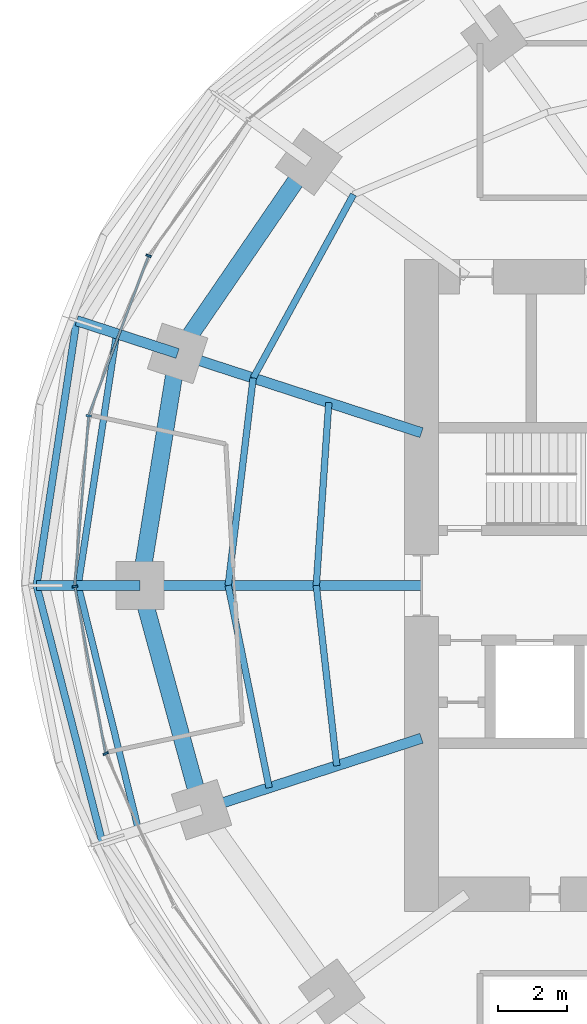
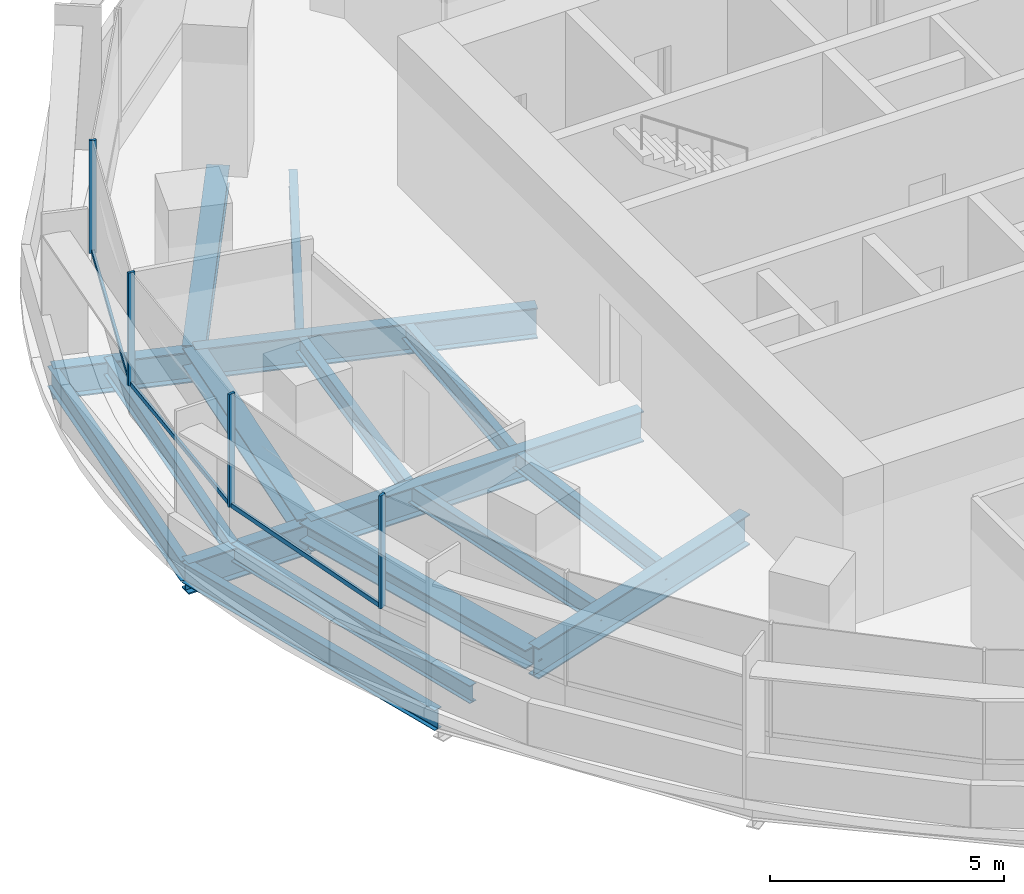
# One storey, part 4 of 17: 14 beams, 10 members, 2 elements without a shape of their own.
"""IFC4 building model written with IfcOpenShell, lengths in metres."""

from ifc_helpers import new_model, si_unit, direction, frame, origin, origin_2d, place, context, subcontext, project, spatial, rectangle, i_section, extrude, material, material_profile, profile_set, type_object, element, aggregate, save


model = new_model("IFC4")

# Units and contexts
model_context = context("Model", 3, precision=1e-05, world=origin(), true_north=direction((0.0, 1.0)))
body_context = subcontext(model_context, "Body", "Model", "MODEL_VIEW")
ifc_project = project(units=[si_unit("LENGTHUNIT", "METRE"), si_unit("AREAUNIT", "SQUARE_METRE"), si_unit("VOLUMEUNIT", "CUBIC_METRE"), si_unit("PLANEANGLEUNIT", "RADIAN"), si_unit("MASSUNIT", "GRAM", prefix="KILO")], contexts=[model_context])

# Site, building, storey
site_placement = place(None, origin())
site = spatial("IfcSite", under=ifc_project, at=site_placement, CompositionType="ELEMENT")
building_placement = place(site_placement, origin())
building = spatial("IfcBuilding", under=site, at=building_placement, Name="Marramba Exchange Tower", CompositionType="ELEMENT")
storey_placement = place(building_placement, frame((0.0, 0.0, 172.10009765625)))
storey = spatial("IfcBuildingStorey", under=building, at=storey_placement, Name="L41", CompositionType="ELEMENT", Elevation=172.10009765625)

# Members
ifc_material_1 = material(Name="Steel AS/NZS 3679.2 grade 300", Category="steel")
ifc_material_profile_1 = material_profile(ifc_material_1, i_section(OverallWidth=0.5, OverallDepth=0.48388671875, WebThickness=0.02490234375, FlangeThickness=0.031982421875, at=origin_2d()), Name="500WC340")
ifc_profile_set_1 = profile_set([ifc_material_profile_1], Name="Steel AS/NZS 3679.2 grade 300")
member_type_1 = type_object("IfcMemberType", Name="Belt truss chord 500WC340", PredefinedType="CHORD", material=ifc_profile_set_1)
member_1_placement = place(storey_placement, frame((-16.98583984375, 12.3408203125, -0.442138671875), z_axis=(-0.56516002054, -0.824981303535, 0.0), x_axis=(0.824981303535, -0.56516002054, 0.0)))
element("IfcMember", 1, at=member_1_placement, inside=storey, type_object=member_type_1, Name="Belt chord L41 TC09-TC10", PredefinedType="CHORD", context=body_context, shape_type="SweptSolid", body=[
    extrude(i_section(OverallWidth=0.5, OverallDepth=0.48388671875, WebThickness=0.02490234375, FlangeThickness=0.031982421875, at=origin_2d()), origin(), (0.0, 0.0, 1.0), 6.763671875),
])
member_2_placement = place(storey_placement, frame((-20.808349609375, 6.760986328125, -0.442138671875), z_axis=(-0.159384865399, -0.987216523708, 0.0), x_axis=(0.987216523708, -0.159384865399, 0.0)))
element("IfcMember", 2, at=member_2_placement, inside=storey, type_object=member_type_1, Name="Belt chord L41 TC10-TC11", PredefinedType="CHORD", context=body_context, shape_type="SweptSolid", body=[
    extrude(i_section(OverallWidth=0.5, OverallDepth=0.48388671875, WebThickness=0.02490234375, FlangeThickness=0.031982421875, at=origin_2d()), origin(), (0.0, 0.0, 1.0), 6.8486328125),
])
member_3_placement = place(storey_placement, frame((-21.89990234375, 0.0, -0.442138671875), z_axis=(0.264291166956, -0.964442937176, 0.0), x_axis=(0.964442937176, 0.264291166956, 0.0)))
element("IfcMember", 3, at=member_3_placement, inside=storey, type_object=member_type_1, Name="Belt chord L41 TC11-TC12", PredefinedType="CHORD", context=body_context, shape_type="SweptSolid", body=[
    extrude(i_section(OverallWidth=0.5, OverallDepth=0.48388671875, WebThickness=0.02490234375, FlangeThickness=0.031982421875, at=origin_2d()), origin(), (0.0, 0.0, 1.0), 6.77490234375),
])

# Beams
ifc_material_profile_2 = material_profile(ifc_material_1, i_section(OverallWidth=0.300048828125, OverallDepth=0.800048828125, WebThickness=0.013916015625, FlangeThickness=0.031982421875, at=origin_2d()), Name="800WB192")
ifc_profile_set_2 = profile_set([ifc_material_profile_2], Name="Steel AS/NZS 3679.2 grade 300")
beam_type_1 = type_object("IfcBeamType", Name="Cantilever girder 800WB192", PredefinedType="BEAM", material=ifc_profile_set_2)
beam_1_placement = place(storey_placement, frame((-20.808349609375, 6.760986328125, -0.650146484375), z_axis=(-0.95104799017, 0.309043233858, 0.0), x_axis=(-0.309043233858, -0.95104799017, 0.0)))
element("IfcBeam", 4, at=beam_1_placement, inside=storey, type_object=beam_type_1, Name="Cantilever girder L41 TC10", PredefinedType="BEAM", context=body_context, shape_type="SweptSolid", body=[
    extrude(i_section(OverallWidth=0.300048828125, OverallDepth=0.800048828125, WebThickness=0.013916015625, FlangeThickness=0.031982421875, at=origin_2d()), origin(), (0.0, 0.0, 1.0), 3.0927734375),
])
beam_2_placement = place(storey_placement, frame((-21.89990234375, 0.0, -0.650146484375), z_axis=(-1.0, 0.0, 0.0), x_axis=(0.0, -1.0, 0.0)))
element("IfcBeam", 5, at=beam_2_placement, inside=storey, type_object=beam_type_1, Name="Cantilever girder L41 TC11", PredefinedType="BEAM", context=body_context, shape_type="SweptSolid", body=[
    extrude(i_section(OverallWidth=0.300048828125, OverallDepth=0.800048828125, WebThickness=0.013916015625, FlangeThickness=0.031982421875, at=origin_2d()), origin(), (0.0, 0.0, 1.0), 3.01806640625),
])
ifc_material_2 = material(Name="Steel AS/NZS 3679.1 grade 300", Category="steel")
ifc_material_profile_3 = material_profile(ifc_material_2, i_section(OverallWidth=0.19091796875, OverallDepth=0.4599609375, WebThickness=0.010009765625, FlangeThickness=0.01611328125, FilletRadius=0.011474609375, at=origin_2d()), Name="460UB82.1")
ifc_profile_set_3 = profile_set([ifc_material_profile_3], Name="Steel AS/NZS 3679.1 grade 300")
beam_type_2 = type_object("IfcBeamType", Name="Floor joist 460UB82.1", PredefinedType="JOIST", material=ifc_profile_set_3)
beam_3_placement = place(storey_placement, frame((-15.682373046875, 11.393798828125, -0.43017578125), z_axis=(-0.479584443791, -0.877495732909, 0.0), x_axis=(0.877495732909, -0.479584443791, 0.0)))
element("IfcBeam", 6, at=beam_3_placement, inside=storey, type_object=beam_type_2, Name="Joist L41 bay 09 row 2", PredefinedType="JOIST", context=body_context, shape_type="SweptSolid", body=[
    extrude(i_section(OverallWidth=0.19091796875, OverallDepth=0.4599609375, WebThickness=0.010009765625, FlangeThickness=0.01611328125, FilletRadius=0.011474609375, at=origin_2d()), origin(), (0.0, 0.0, 1.0), 6.094970703125),
])
beam_4_placement = place(storey_placement, frame((-16.40283203125, 5.32958984375, -0.43017578125), z_axis=(-0.068096259546, -0.99767875563, 0.0), x_axis=(0.99767875563, -0.068096259546, 0.0)))
element("IfcBeam", 7, at=beam_4_placement, inside=storey, type_object=beam_type_2, Name="Joist L41 bay 10 row 1", PredefinedType="JOIST", context=body_context, shape_type="SweptSolid", body=[
    extrude(i_section(OverallWidth=0.19091796875, OverallDepth=0.4599609375, WebThickness=0.010009765625, FlangeThickness=0.01611328125, FilletRadius=0.011474609375, at=origin_2d()), origin(), (0.0, 0.0, 1.0), 5.342041015625),
])
beam_5_placement = place(storey_placement, frame((-18.60546875, 6.04541015625, -0.43017578125), z_axis=(-0.119523078538, -0.992831422597, 0.0), x_axis=(0.992831422597, -0.119523078538, 0.0)))
element("IfcBeam", 8, at=beam_5_placement, inside=storey, type_object=beam_type_2, Name="Joist L41 bay 10 row 2", PredefinedType="JOIST", context=body_context, shape_type="SweptSolid", body=[
    extrude(i_section(OverallWidth=0.19091796875, OverallDepth=0.4599609375, WebThickness=0.010009765625, FlangeThickness=0.01611328125, FilletRadius=0.011474609375, at=origin_2d()), origin(), (0.0, 0.0, 1.0), 6.089111328125),
])
beam_6_placement = place(storey_placement, frame((-16.7666015625, 0.0, -0.43017578125), z_axis=(0.112888968594, -0.993607609054, 0.0), x_axis=(0.993607609054, 0.112888968594, 0.0)))
element("IfcBeam", 9, at=beam_6_placement, inside=storey, type_object=beam_type_2, Name="Joist L41 bay 11 row 1", PredefinedType="JOIST", context=body_context, shape_type="SweptSolid", body=[
    extrude(i_section(OverallWidth=0.19091796875, OverallDepth=0.4599609375, WebThickness=0.010009765625, FlangeThickness=0.01611328125, FilletRadius=0.011474609375, at=origin_2d()), origin(), (0.0, 0.0, 1.0), 5.28759765625),
])
beam_7_placement = place(storey_placement, frame((-19.333251953125, 0.0, -0.43017578125), z_axis=(0.198489047047, -0.980103105904, 0.0), x_axis=(0.980103105904, 0.198489047047, 0.0)))
element("IfcBeam", 10, at=beam_7_placement, inside=storey, type_object=beam_type_2, Name="Joist L41 bay 11 row 2", PredefinedType="JOIST", context=body_context, shape_type="SweptSolid", body=[
    extrude(i_section(OverallWidth=0.19091796875, OverallDepth=0.4599609375, WebThickness=0.010009765625, FlangeThickness=0.01611328125, FilletRadius=0.011474609375, at=origin_2d()), origin(), (0.0, 0.0, 1.0), 6.013427734375),
])

# Curtain wall, members
ifc_material_3 = material(Name="Aluminium framing, bronze anodised", Category="aluminium")
curtain_wall_type = type_object("IfcCurtainWallType", Name="Office ribbon curtain wall", PredefinedType="USERDEFINED", material=ifc_material_3)
curtain_wall_1_placement = place(storey_placement, origin())
curtain_wall_1 = element("IfcCurtainWall", 11, at=curtain_wall_1_placement, inside=storey, type_object=curtain_wall_type, Name="Curtain wall CW4 L41 F11-F15", ObjectType="RIBBON CURTAIN WALL", PredefinedType="USERDEFINED")
ifc_material_4 = material(Name="Aluminium mullion, bronze anodised", Category="aluminium")
ifc_material_profile_4 = material_profile(ifc_material_4, rectangle(XDim=0.159912109375, YDim=0.06005859375, at=origin_2d()), Name="CW4 mullion 60x160")
ifc_profile_set_4 = profile_set([ifc_material_profile_4], Name="Aluminium mullion, bronze anodised")
member_type_2 = type_object("IfcMemberType", Name="Office ribbon curtain wall mullion", PredefinedType="MULLION", material=ifc_profile_set_4)
member_4_placement = place(storey_placement, frame((-21.65283203125, 9.607666015625, 0.7998046875), z_axis=(0.0, 0.0, 1.0), x_axis=(0.936018231909, -0.351951515885, 0.0)))
member_4 = element("IfcMember", 12, at=member_4_placement, type_object=member_type_2, Name="CW4 mullion 1", PredefinedType="MULLION", context=body_context, shape_type="SweptSolid", body=[
    extrude(rectangle(XDim=0.159912109375, YDim=0.06005859375, at=origin_2d()), origin(), (0.0, 0.0, 1.0), 2.940185546875),
])
member_5_placement = place(storey_placement, frame((-23.39794921875, 4.94287109375, 0.7998046875), z_axis=(0.0, 0.0, 1.0), x_axis=(0.996609178714, -0.082280890264, 0.0)))
member_5 = element("IfcMember", 13, at=member_5_placement, type_object=member_type_2, Name="CW4 mullion 1", PredefinedType="MULLION", context=body_context, shape_type="SweptSolid", body=[
    extrude(rectangle(XDim=0.159912109375, YDim=0.06005859375, at=origin_2d()), origin(), (0.0, 0.0, 1.0), 2.940185546875),
])

curtain_wall_2_placement = place(storey_placement, origin())
curtain_wall_2 = element("IfcCurtainWall", 14, at=curtain_wall_2_placement, inside=storey, type_object=curtain_wall_type, Name="Curtain wall CW4 L41 F16-F20", ObjectType="RIBBON CURTAIN WALL", PredefinedType="USERDEFINED")
member_6_placement = place(storey_placement, frame((-23.800537109375, -0.029541015625, 0.7998046875), z_axis=(0.0, 0.0, 1.0), x_axis=(0.983606636184, 0.180327438996, 0.0)))
member_6 = element("IfcMember", 15, at=member_6_placement, type_object=member_type_2, Name="CW4 mullion 1", PredefinedType="MULLION", context=body_context, shape_type="SweptSolid", body=[
    extrude(rectangle(XDim=0.159912109375, YDim=0.06005859375, at=origin_2d()), origin(), (0.0, 0.0, 1.0), 2.940185546875),
])
member_7_placement = place(storey_placement, frame((-22.90087890625, -4.897705078125, 0.7998046875), z_axis=(0.0, 0.0, 1.0), x_axis=(0.913179510401, 0.407557580942, 0.0)))
member_7 = element("IfcMember", 16, at=member_7_placement, type_object=member_type_2, Name="CW4 mullion 1", PredefinedType="MULLION", context=body_context, shape_type="SweptSolid", body=[
    extrude(rectangle(XDim=0.159912109375, YDim=0.06005859375, at=origin_2d()), origin(), (0.0, 0.0, 1.0), 2.940185546875),
])

# Member
ifc_material_5 = material(Name="Aluminium transom, bronze anodised", Category="aluminium")
ifc_material_profile_5 = material_profile(ifc_material_5, rectangle(XDim=0.06005859375, YDim=0.1201171875, at=origin_2d()), Name="CW4 transom 60x120")
ifc_profile_set_5 = profile_set([ifc_material_profile_5], Name="Aluminium transom, bronze anodised")
member_type_3 = type_object("IfcMemberType", Name="Office ribbon curtain wall transom", PredefinedType="USERDEFINED", material=ifc_profile_set_5)
member_8_placement = place(storey_placement, frame((-21.663330078125, 9.57958984375, 0.829833984375), z_axis=(-0.351955054115, -0.936016901494, 0.0), x_axis=(0.936016901494, -0.351955054115, 0.0)))
member_8 = element("IfcMember", 17, at=member_8_placement, type_object=member_type_3, Name="CW4 sill transom", ObjectType="TRANSOM", PredefinedType="USERDEFINED", context=body_context, shape_type="SweptSolid", body=[
    extrude(rectangle(XDim=0.06005859375, YDim=0.1201171875, at=origin_2d()), origin(), (0.0, 0.0, 1.0), 4.921630859375),
])

member_9_placement = place(storey_placement, frame((-23.400390625, 4.9130859375, 0.829833984375), z_axis=(-0.082258542539, -0.996611023509, 0.0), x_axis=(0.996611023509, -0.082258542539, 0.0)))
member_9 = element("IfcMember", 18, at=member_9_placement, type_object=member_type_3, Name="CW4 sill transom", ObjectType="TRANSOM", PredefinedType="USERDEFINED", context=body_context, shape_type="SweptSolid", body=[
    extrude(rectangle(XDim=0.06005859375, YDim=0.1201171875, at=origin_2d()), origin(), (0.0, 0.0, 1.0), 4.9296875),
])

aggregate(curtain_wall_1, [member_4, member_8, member_5, member_9])

member_10_placement = place(storey_placement, frame((-23.795166015625, -0.05908203125, 0.829833984375), z_axis=(0.180330283276, -0.98360611473, 0.0), x_axis=(0.98360611473, 0.180330283276, 0.0)))
member_10 = element("IfcMember", 19, at=member_10_placement, type_object=member_type_3, Name="CW4 sill transom", ObjectType="TRANSOM", PredefinedType="USERDEFINED", context=body_context, shape_type="SweptSolid", body=[
    extrude(rectangle(XDim=0.06005859375, YDim=0.1201171875, at=origin_2d()), origin(), (0.0, 0.0, 1.0), 4.891357421875),
])

aggregate(curtain_wall_2, [member_6, member_10, member_7])

# Beams
ifc_material_profile_6 = material_profile(ifc_material_1, i_section(OverallWidth=0.300048828125, OverallDepth=0.800048828125, WebThickness=0.013916015625, FlangeThickness=0.031982421875, at=origin_2d()), Name="800WB192")
ifc_profile_set_6 = profile_set([ifc_material_profile_6], Name="Steel AS/NZS 3679.2 grade 300")
beam_type_3 = type_object("IfcBeamType", Name="Radial girder 800WB192", PredefinedType="BEAM", material=ifc_profile_set_6)
beam_8_placement = place(storey_placement, frame((-13.699951171875, 4.451416015625, -0.60009765625), z_axis=(-0.951059990189, 0.309006302624, 0.0), x_axis=(-0.309006302624, -0.951059990189, 0.0)))
element("IfcBeam", 20, at=beam_8_placement, inside=storey, type_object=beam_type_3, Name="Radial girder L41 TC10", PredefinedType="BEAM", context=body_context, shape_type="SweptSolid", body=[
    extrude(i_section(OverallWidth=0.300048828125, OverallDepth=0.800048828125, WebThickness=0.013916015625, FlangeThickness=0.031982421875, at=origin_2d()), origin(), (0.0, 0.0, 1.0), 7.47412109375),
])
beam_9_placement = place(storey_placement, frame((-13.699951171875, 0.0, -0.60009765625), z_axis=(-1.0, 0.0, 0.0), x_axis=(0.0, -1.0, 0.0)))
element("IfcBeam", 21, at=beam_9_placement, inside=storey, type_object=beam_type_3, Name="Radial girder L41 TC11", PredefinedType="BEAM", context=body_context, shape_type="SweptSolid", body=[
    extrude(i_section(OverallWidth=0.300048828125, OverallDepth=0.800048828125, WebThickness=0.013916015625, FlangeThickness=0.031982421875, at=origin_2d()), origin(), (0.0, 0.0, 1.0), 8.199951171875),
])
beam_10_placement = place(storey_placement, frame((-13.699951171875, -4.451416015625, -0.60009765625), z_axis=(-0.951057759669, -0.309013167637, 0.0), x_axis=(0.309013167637, -0.951057759669, 0.0)))
element("IfcBeam", 22, at=beam_10_placement, inside=storey, type_object=beam_type_3, Name="Radial girder L41 TC12", PredefinedType="BEAM", context=body_context, shape_type="SweptSolid", body=[
    extrude(i_section(OverallWidth=0.300048828125, OverallDepth=0.800048828125, WebThickness=0.013916015625, FlangeThickness=0.031982421875, at=origin_2d()), origin(), (0.0, 0.0, 1.0), 6.7392578125),
])
ifc_material_profile_7 = material_profile(ifc_material_2, i_section(OverallWidth=0.19091796875, OverallDepth=0.4599609375, WebThickness=0.010009765625, FlangeThickness=0.01611328125, FilletRadius=0.011474609375, at=origin_2d()), Name="460UB82.1")
ifc_profile_set_7 = profile_set([ifc_material_profile_7], Name="Steel AS/NZS 3679.1 grade 300")
beam_type_4 = type_object("IfcBeamType", Name="Slab edge beam 460UB82.1", PredefinedType="SPANDREL", material=ifc_profile_set_7)
beam_11_placement = place(storey_placement, frame((-22.585205078125, 7.33837890625, -0.43017578125), z_axis=(-0.150987012186, -0.988535746522, 0.0), x_axis=(0.988535746522, -0.150987012186, 0.0)))
element("IfcBeam", 23, at=beam_11_placement, inside=storey, type_object=beam_type_4, Name="Slab edge beam L41 TC10-TC11", PredefinedType="SPANDREL", context=body_context, shape_type="SweptSolid", body=[
    extrude(i_section(OverallWidth=0.19091796875, OverallDepth=0.4599609375, WebThickness=0.010009765625, FlangeThickness=0.01611328125, FilletRadius=0.011474609375, at=origin_2d()), origin(), (0.0, 0.0, 1.0), 7.423583984375),
])
beam_12_placement = place(storey_placement, frame((-23.7060546875, 0.0, -0.43017578125), z_axis=(0.23973454413, -0.970838476963, 0.0), x_axis=(0.970838476963, 0.23973454413, 0.0)))
element("IfcBeam", 24, at=beam_12_placement, inside=storey, type_object=beam_type_4, Name="Slab edge beam L41 TC11-TC12", PredefinedType="SPANDREL", context=body_context, shape_type="SweptSolid", body=[
    extrude(i_section(OverallWidth=0.19091796875, OverallDepth=0.4599609375, WebThickness=0.010009765625, FlangeThickness=0.01611328125, FilletRadius=0.011474609375, at=origin_2d()), origin(), (0.0, 0.0, 1.0), 7.344482421875),
])
ifc_material_profile_8 = material_profile(ifc_material_2, i_section(OverallWidth=0.208984375, OverallDepth=0.528076171875, WebThickness=0.009521484375, FlangeThickness=0.01318359375, FilletRadius=0.013916015625, at=origin_2d()), Name="530UB82.0")
ifc_profile_set_8 = profile_set([ifc_material_profile_8], Name="Steel AS/NZS 3679.1 grade 300")
beam_type_5 = type_object("IfcBeamType", Name="Slab edge beam 530UB82.0", PredefinedType="SPANDREL", material=ifc_profile_set_8)
beam_13_placement = place(storey_placement, frame((-23.749755859375, 7.716796875, -0.51416015625), z_axis=(-0.149680281727, -0.988734450326, 0.0), x_axis=(0.988734450326, -0.149680281727, 0.0)))
element("IfcBeam", 25, at=beam_13_placement, inside=storey, type_object=beam_type_5, Name="Setback roof edge beam L41 TC10-TC11", PredefinedType="SPANDREL", context=body_context, shape_type="SweptSolid", body=[
    extrude(i_section(OverallWidth=0.208984375, OverallDepth=0.528076171875, WebThickness=0.009521484375, FlangeThickness=0.01318359375, FilletRadius=0.013916015625, at=origin_2d()), origin(), (0.0, 0.0, 1.0), 7.8046875),
])
beam_14_placement = place(storey_placement, frame((-24.91796875, 0.0, -0.51416015625), z_axis=(0.248145427917, -0.968722791413, 0.0), x_axis=(0.968722791413, 0.248145427917, 0.0)))
element("IfcBeam", 26, at=beam_14_placement, inside=storey, type_object=beam_type_5, Name="Setback roof edge beam L41 TC11-TC12", PredefinedType="SPANDREL", context=body_context, shape_type="SweptSolid", body=[
    extrude(i_section(OverallWidth=0.208984375, OverallDepth=0.528076171875, WebThickness=0.009521484375, FlangeThickness=0.01318359375, FilletRadius=0.013916015625, at=origin_2d()), origin(), (0.0, 0.0, 1.0), 7.71533203125),
])

save(model, "model.ifc")
